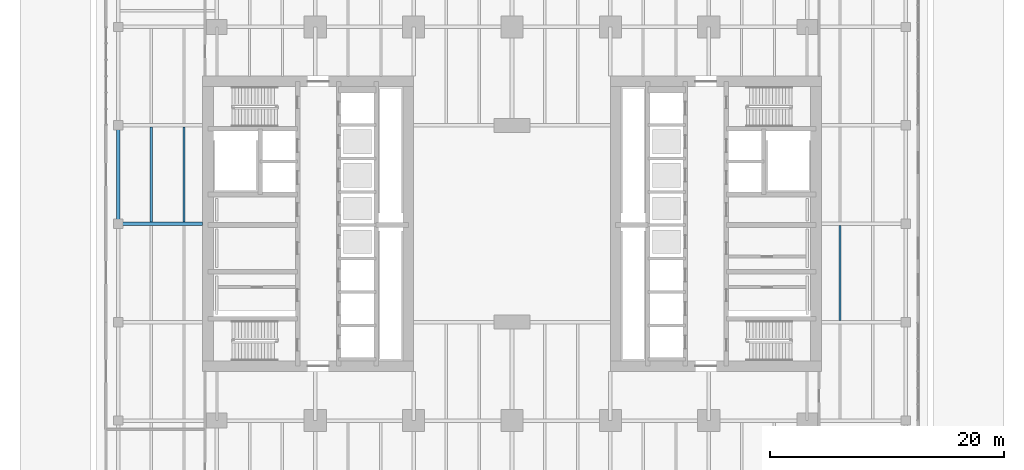
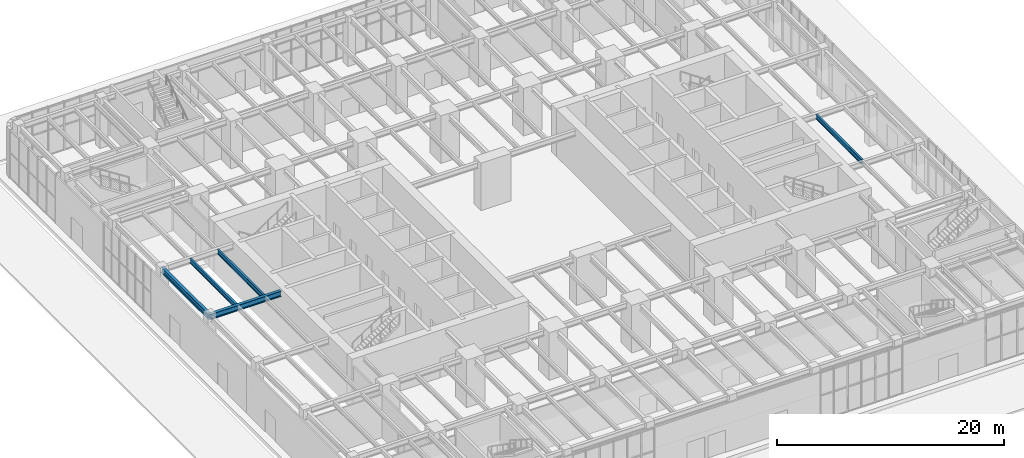
# One storey, part 6 of 31: 5 beams.
"""IFC4 building model written with IfcOpenShell, lengths in metres."""

from ifc_helpers import new_model, si_unit, direction, frame, origin, origin_2d, place, context, subcontext, project, spatial, i_section, extrude, material, material_profile, profile_set, type_object, element, save


model = new_model("IFC4")

# Units and contexts
model_context = context("Model", 3, precision=1e-05, world=origin(), true_north=direction((0.0, 1.0)))
body_context = subcontext(model_context, "Body", "Model", "MODEL_VIEW")
ifc_project = project(units=[si_unit("LENGTHUNIT", "METRE"), si_unit("AREAUNIT", "SQUARE_METRE"), si_unit("VOLUMEUNIT", "CUBIC_METRE"), si_unit("PLANEANGLEUNIT", "RADIAN"), si_unit("MASSUNIT", "GRAM", prefix="KILO")], contexts=[model_context])

# Site, building, storey
site_placement = place(None, origin())
site = spatial("IfcSite", under=ifc_project, at=site_placement, CompositionType="ELEMENT")
building_placement = place(site_placement, origin())
building = spatial("IfcBuilding", under=site, at=building_placement, Name="Claustro Exchange Tower", CompositionType="ELEMENT")
storey_placement = place(building_placement, origin())
storey = spatial("IfcBuildingStorey", under=building, at=storey_placement, Name="L00", CompositionType="ELEMENT", Elevation=0.0)

# Beams
ifc_material_1 = material(Name="Steel S355", Category="steel")
ifc_material_profile_1 = material_profile(ifc_material_1, i_section(OverallWidth=0.300048828125, OverallDepth=0.60009765625, WebThickness=0.015380859375, FlangeThickness=0.030029296875, FilletRadius=0.027099609375, at=origin_2d()), Name="HE 600 B")
ifc_profile_set_1 = profile_set([ifc_material_profile_1], Name="Steel S355")
beam_type_1 = type_object("IfcBeamType", Name="B1 HE 600 B floor girder", PredefinedType="BEAM", material=ifc_profile_set_1)
beam_1_placement = place(storey_placement, frame((-8.39990234375, 25.199951171875, 4.89990234375), z_axis=(0.0, 1.0, 0.0), x_axis=(-1.0, 0.0, 0.0)))
element("IfcBeam", 1, at=beam_1_placement, inside=storey, type_object=beam_type_1, Name="Beam B1 L01", PredefinedType="BEAM", context=body_context, shape_type="SweptSolid", body=[
    extrude(i_section(OverallWidth=0.300048828125, OverallDepth=0.60009765625, WebThickness=0.015380859375, FlangeThickness=0.030029296875, FilletRadius=0.027099609375, at=origin_2d()), origin(), (0.0, 0.0, 1.0), 8.400146484375),
])
beam_2_placement = place(storey_placement, frame((-8.39990234375, 25.199951171875, 4.89990234375), z_axis=(1.0, 0.0, 0.0), x_axis=(0.0, 1.0, 0.0)))
element("IfcBeam", 2, at=beam_2_placement, inside=storey, type_object=beam_type_1, Name="Beam B1 L01", PredefinedType="BEAM", context=body_context, shape_type="SweptSolid", body=[
    extrude(i_section(OverallWidth=0.300048828125, OverallDepth=0.60009765625, WebThickness=0.015380859375, FlangeThickness=0.030029296875, FilletRadius=0.027099609375, at=origin_2d()), origin(), (0.0, 0.0, 1.0), 7.199951171875),
])
ifc_material_2 = material(Name="Steel S355", Category="steel")
ifc_material_profile_2 = material_profile(ifc_material_2, i_section(OverallWidth=0.199951171875, OverallDepth=0.5, WebThickness=0.01025390625, FlangeThickness=0.01611328125, FilletRadius=0.02099609375, at=origin_2d()), Name="IPE 500")
ifc_profile_set_2 = profile_set([ifc_material_profile_2], Name="Steel S355")
beam_type_2 = type_object("IfcBeamType", Name="B2 IPE 500 secondary beam", PredefinedType="BEAM", material=ifc_profile_set_2)
for number, where, z_axis, x_axis, name in (
    (3, (-5.60009765625, 25.35009765625, 4.949951171875), (0.0, 1.0, 0.0), (-1.0, 0.0, 0.0), "Beam B2 L01"),
    (4, (-2.800048828125, 25.35009765625, 4.949951171875), (0.0, 1.0, 0.0), (-1.0, 0.0, 0.0), "Beam B2 L01"),
):
    element("IfcBeam", number, at=place(storey_placement, frame(where, z_axis=z_axis, x_axis=x_axis)), inside=storey, type_object=beam_type_2, Name=name, PredefinedType="BEAM", context=body_context, shape_type="SweptSolid", body=[
        extrude(i_section(OverallWidth=0.199951171875, OverallDepth=0.5, WebThickness=0.01025390625, FlangeThickness=0.01611328125, FilletRadius=0.02099609375, at=origin_2d()), origin(), (0.0, 0.0, 1.0), 8.099853515625),
    ])
beam_3_placement = place(storey_placement, frame((53.199951171875, 16.949951171875, 4.949951171875), z_axis=(0.0, 1.0, 0.0), x_axis=(-1.0, 0.0, 0.0)))
element("IfcBeam", 5, at=beam_3_placement, inside=storey, type_object=beam_type_2, Name="Beam B2 L01", PredefinedType="BEAM", context=body_context, shape_type="SweptSolid", body=[
    extrude(i_section(OverallWidth=0.199951171875, OverallDepth=0.5, WebThickness=0.01025390625, FlangeThickness=0.01611328125, FilletRadius=0.02099609375, at=origin_2d()), origin(), (0.0, 0.0, 1.0), 8.10009765625),
])

save(model, "model.ifc")
